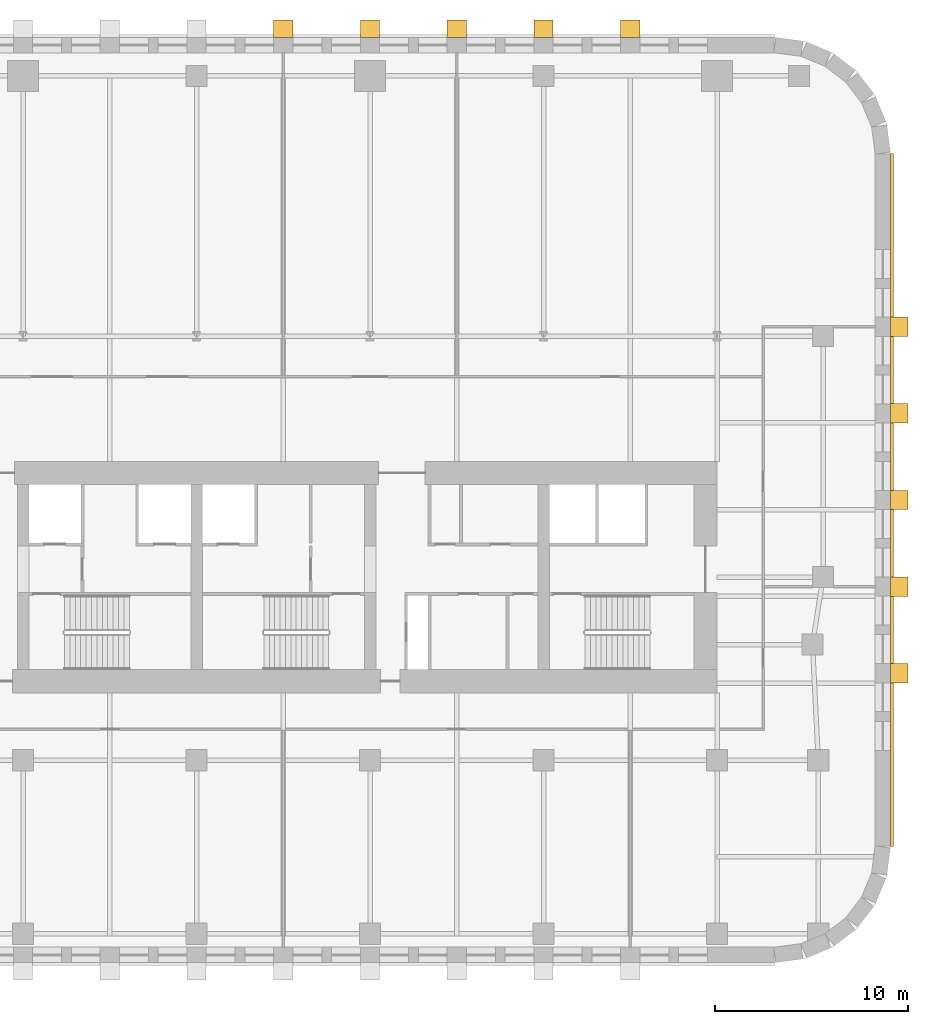
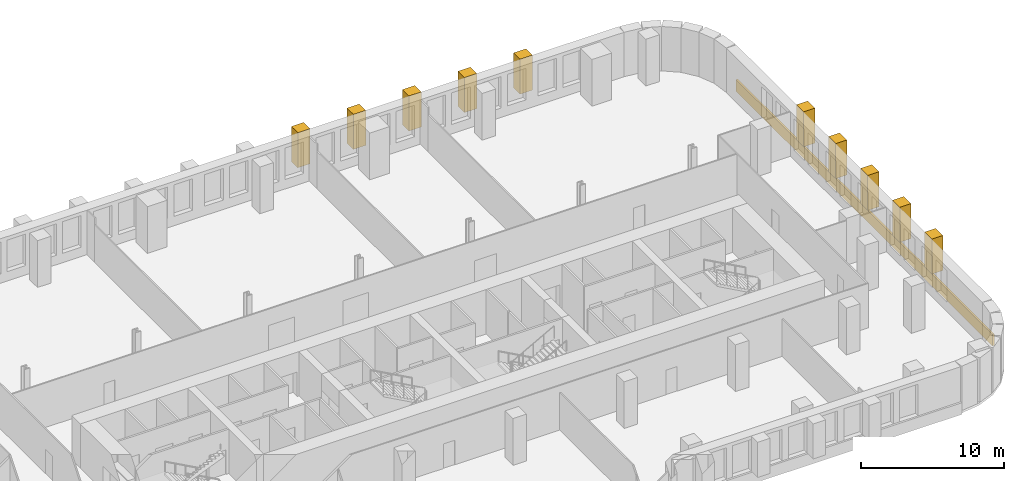
# One storey, part 11 of 11: 11 coverings.
"""IFC4 building model written with IfcOpenShell, lengths in metres."""

from ifc_helpers import new_model, si_unit, direction, frame, origin, place, context, subcontext, project, spatial, polyline, outline, extrude, material, layer, layer_set, type_object, element, save


model = new_model("IFC4")

# Units and contexts
model_context = context("Model", 3, precision=1e-05, world=origin(), true_north=direction((0.0, 1.0)))
body_context = subcontext(model_context, "Body", "Model", "MODEL_VIEW")
ifc_project = project(units=[si_unit("LENGTHUNIT", "METRE"), si_unit("AREAUNIT", "SQUARE_METRE"), si_unit("VOLUMEUNIT", "CUBIC_METRE"), si_unit("PLANEANGLEUNIT", "RADIAN"), si_unit("MASSUNIT", "GRAM", prefix="KILO")], contexts=[model_context])

# Site, building, storey
site_placement = place(None, origin())
site = spatial("IfcSite", under=ifc_project, at=site_placement, CompositionType="ELEMENT")
building_placement = place(site_placement, origin())
building = spatial("IfcBuilding", under=site, at=building_placement, Name="Zellij Exchange Tower", CompositionType="ELEMENT")
storey_placement = place(building_placement, frame((0.0, 0.0, 72.5)))
storey = spatial("IfcBuildingStorey", under=building, at=storey_placement, Name="L14", CompositionType="ELEMENT", Elevation=72.5)

# Coverings
ifc_material = material(Name="Limestone cladding", Category="masonry")
ifc_layer = layer(ifc_material, 0.14990234375)
ifc_layer_set = layer_set([ifc_layer], Name="Limestone cladding")
covering_type_1 = type_object("IfcCoveringType", Name="ENV-CV1 Stone spandrel band 150", PredefinedType="CLADDING", material=ifc_layer_set)
covering_1_placement = place(storey_placement, frame((0.0, 0.0, -0.199951171875)))
element("IfcCovering", 1, at=covering_1_placement, inside=storey, type_object=covering_type_1, Name="Stone spandrel band", PredefinedType="CLADDING", context=body_context, shape_type="SweptSolid", body=[
    extrude(outline(polyline([(36.0, -21.973876953125), (36.0, 13.973876953125), (36.14990234375, 13.983642578125), (36.14990234375, -21.983642578125), (36.0, -21.973876953125)])), origin(), (0.0, 0.0, 1.0), 1.0),
])
covering_type_2 = type_object("IfcCoveringType", Name="ENV-CV2 Stone pier 1000x900", PredefinedType="CLADDING", material=ifc_material)
covering_2_placement = place(storey_placement, frame((0.0, 0.0, 0.800048828125)))
element("IfcCovering", 2, at=covering_2_placement, inside=storey, type_object=covering_type_2, Name="Stone pier", PredefinedType="CLADDING", context=body_context, shape_type="SweptSolid", body=[
    extrude(outline(polyline([(36.0, -13.48681640625), (36.0, -12.48681640625), (36.89990234375, -12.48681640625), (36.89990234375, -13.48681640625), (36.0, -13.48681640625)])), origin(), (0.0, 0.0, 1.0), 3.0),
])
covering_3_placement = place(storey_placement, frame((0.0, 0.0, 0.800048828125)))
element("IfcCovering", 3, at=covering_3_placement, inside=storey, type_object=covering_type_2, Name="Stone pier", PredefinedType="CLADDING", context=body_context, shape_type="SweptSolid", body=[
    extrude(outline(polyline([(36.0, -8.993408203125), (36.0, -7.993408203125), (36.89990234375, -7.993408203125), (36.89990234375, -8.993408203125), (36.0, -8.993408203125)])), origin(), (0.0, 0.0, 1.0), 3.0),
])
covering_4_placement = place(storey_placement, frame((0.0, 0.0, 0.800048828125)))
element("IfcCovering", 4, at=covering_4_placement, inside=storey, type_object=covering_type_2, Name="Stone pier", PredefinedType="CLADDING", context=body_context, shape_type="SweptSolid", body=[
    extrude(outline(polyline([(36.0, -4.5), (36.0, -3.5), (36.89990234375, -3.5), (36.89990234375, -4.5), (36.0, -4.5)])), origin(), (0.0, 0.0, 1.0), 3.0),
])
covering_5_placement = place(storey_placement, frame((0.0, 0.0, 0.800048828125)))
element("IfcCovering", 5, at=covering_5_placement, inside=storey, type_object=covering_type_2, Name="Stone pier", PredefinedType="CLADDING", context=body_context, shape_type="SweptSolid", body=[
    extrude(outline(polyline([(36.0, -0.006591796875), (36.0, 0.993408203125), (36.89990234375, 0.993408203125), (36.89990234375, -0.006591796875), (36.0, -0.006591796875)])), origin(), (0.0, 0.0, 1.0), 3.0),
])
covering_6_placement = place(storey_placement, frame((0.0, 0.0, 0.800048828125)))
element("IfcCovering", 6, at=covering_6_placement, inside=storey, type_object=covering_type_2, Name="Stone pier", PredefinedType="CLADDING", context=body_context, shape_type="SweptSolid", body=[
    extrude(outline(polyline([(36.0, 4.48681640625), (36.0, 5.48681640625), (36.89990234375, 5.48681640625), (36.89990234375, 4.48681640625), (36.0, 4.48681640625)])), origin(), (0.0, 0.0, 1.0), 3.0),
])
covering_7_placement = place(storey_placement, frame((0.0, 0.0, 0.800048828125)))
element("IfcCovering", 7, at=covering_7_placement, inside=storey, type_object=covering_type_2, Name="Stone pier", PredefinedType="CLADDING", context=body_context, shape_type="SweptSolid", body=[
    extrude(outline(polyline([(23.0, 20.0), (22.0, 20.0), (22.0, 20.89990234375), (23.0, 20.89990234375), (23.0, 20.0)])), origin(), (0.0, 0.0, 1.0), 3.0),
])
covering_8_placement = place(storey_placement, frame((0.0, 0.0, 0.800048828125)))
element("IfcCovering", 8, at=covering_8_placement, inside=storey, type_object=covering_type_2, Name="Stone pier", PredefinedType="CLADDING", context=body_context, shape_type="SweptSolid", body=[
    extrude(outline(polyline([(18.5, 20.0), (17.5, 20.0), (17.5, 20.89990234375), (18.5, 20.89990234375), (18.5, 20.0)])), origin(), (0.0, 0.0, 1.0), 3.0),
])
covering_9_placement = place(storey_placement, frame((0.0, 0.0, 0.800048828125)))
element("IfcCovering", 9, at=covering_9_placement, inside=storey, type_object=covering_type_2, Name="Stone pier", PredefinedType="CLADDING", context=body_context, shape_type="SweptSolid", body=[
    extrude(outline(polyline([(14.0, 20.0), (13.0, 20.0), (13.0, 20.89990234375), (14.0, 20.89990234375), (14.0, 20.0)])), origin(), (0.0, 0.0, 1.0), 3.0),
])
covering_10_placement = place(storey_placement, frame((0.0, 0.0, 0.800048828125)))
element("IfcCovering", 10, at=covering_10_placement, inside=storey, type_object=covering_type_2, Name="Stone pier", PredefinedType="CLADDING", context=body_context, shape_type="SweptSolid", body=[
    extrude(outline(polyline([(9.5, 20.0), (8.5, 20.0), (8.5, 20.89990234375), (9.5, 20.89990234375), (9.5, 20.0)])), origin(), (0.0, 0.0, 1.0), 3.0),
])
covering_11_placement = place(storey_placement, frame((0.0, 0.0, 0.800048828125)))
element("IfcCovering", 11, at=covering_11_placement, inside=storey, type_object=covering_type_2, Name="Stone pier", PredefinedType="CLADDING", context=body_context, shape_type="SweptSolid", body=[
    extrude(outline(polyline([(5.0, 20.0), (4.0, 20.0), (4.0, 20.89990234375), (5.0, 20.89990234375), (5.0, 20.0)])), origin(), (0.0, 0.0, 1.0), 3.0),
])

save(model, "model.ifc")
